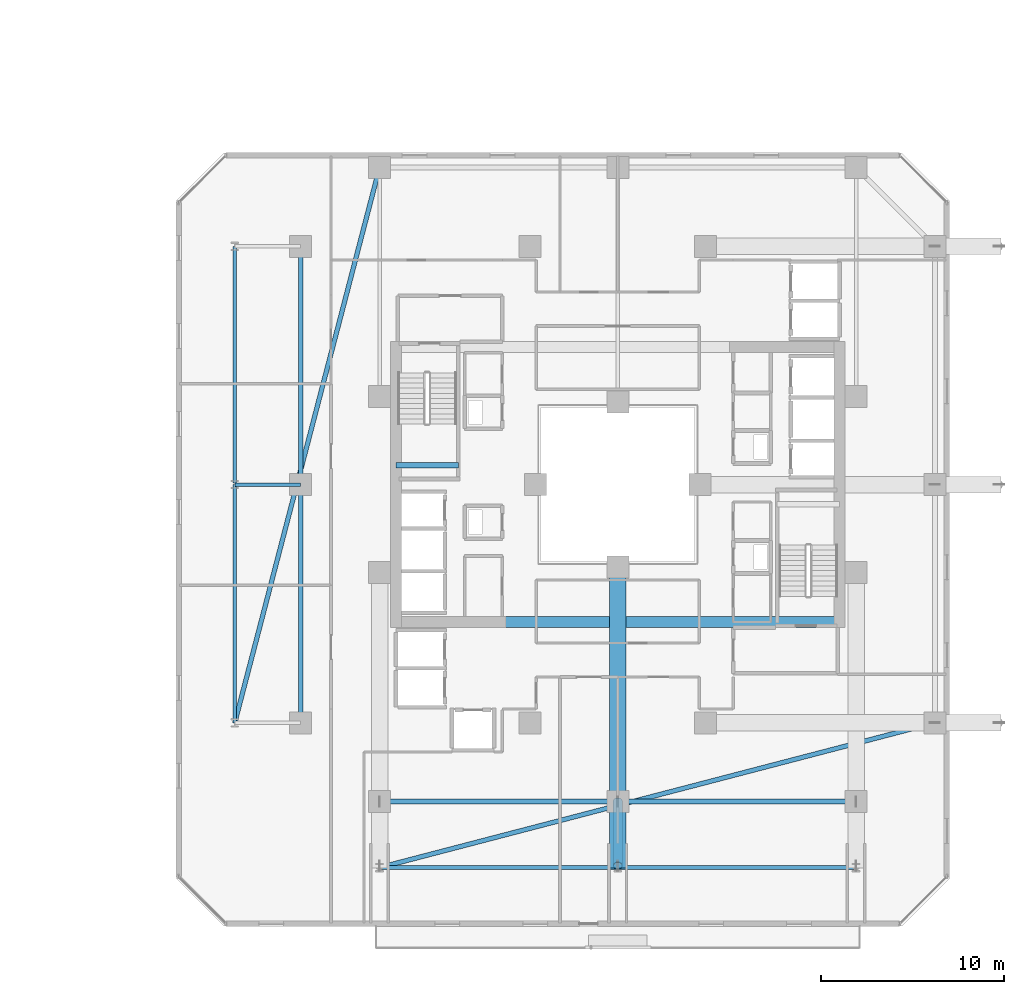
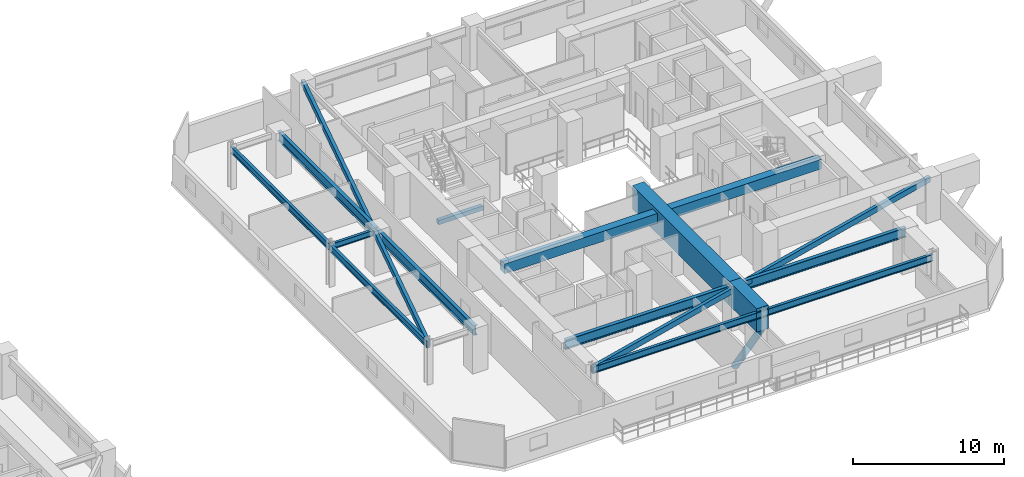
# One storey, part 12 of 36: 15 beams, 1 member.
"""IFC4 building model written with IfcOpenShell, lengths in metres."""

from ifc_helpers import new_model, si_unit, direction, frame, origin, origin_2d, place, context, subcontext, project, spatial, rectangle, hollow_rectangle, hollow_circle, i_section, extrude, material, material_profile, profile_set, type_object, element, save


model = new_model("IFC4")

# Units and contexts
model_context = context("Model", 3, precision=1e-05, world=origin(), true_north=direction((0.0, 1.0)))
body_context = subcontext(model_context, "Body", "Model", "MODEL_VIEW")
ifc_project = project(units=[si_unit("LENGTHUNIT", "METRE"), si_unit("AREAUNIT", "SQUARE_METRE"), si_unit("VOLUMEUNIT", "CUBIC_METRE"), si_unit("PLANEANGLEUNIT", "RADIAN"), si_unit("MASSUNIT", "GRAM", prefix="KILO")], contexts=[model_context])

# Site, building, storey
site_placement = place(None, origin())
site = spatial("IfcSite", under=ifc_project, at=site_placement, CompositionType="ELEMENT")
building_placement = place(site_placement, origin())
building = spatial("IfcBuilding", under=site, at=building_placement, Name="Thornwick Lancets Civic Towers", CompositionType="ELEMENT")
storey_placement = place(building_placement, frame((0.0, 0.0, 116.10009765625)))
storey = spatial("IfcBuildingStorey", under=building, at=storey_placement, Name="L30", CompositionType="ELEMENT", Elevation=116.10009765625)

# Beams
ifc_material_1 = material(Name="Concrete C60/75", Category="concrete")
ifc_material_profile_1 = material_profile(ifc_material_1, rectangle(XDim=0.60009765625, YDim=0.800048828125, at=origin_2d()), Name="RC 600x800")
ifc_profile_set_1 = profile_set([ifc_material_profile_1], Name="Concrete C60/75")
beam_type_1 = type_object("IfcBeamType", Name="BM_COUP_RC800", PredefinedType="BEAM", material=ifc_profile_set_1)
beam_1_placement = place(storey_placement, frame((76.39990234375, 19.5, 2.93994140625), z_axis=(1.0, 0.0, 0.0), x_axis=(0.0, 1.0, 0.0)))
element("IfcBeam", 1, at=beam_1_placement, inside=storey, type_object=beam_type_1, Name="CB-L30-B2", PredefinedType="BEAM", context=body_context, shape_type="SweptSolid", body=[
    extrude(rectangle(XDim=0.60009765625, YDim=0.800048828125, at=origin_2d()), origin(), (0.0, 0.0, 1.0), 24.2001953125),
])
ifc_material_2 = material(Name="Steel S355JR", Category="steel")
ifc_material_profile_2 = material_profile(ifc_material_2, i_section(OverallWidth=0.2119140625, OverallDepth=0.54443359375, WebThickness=0.0126953125, FlangeThickness=0.021240234375, FilletRadius=0.0126953125, at=origin_2d()), Name="UKB 533x210x122")
ifc_profile_set_2 = profile_set([ifc_material_profile_2], Name="Steel S355JR")
beam_type_2 = type_object("IfcBeamType", Name="BM_EDGE_533_122", PredefinedType="SPANDREL", material=ifc_profile_set_2)
beam_2_placement = place(storey_placement, frame((67.60009765625, 14.0, 3.067626953125), z_axis=(0.0, 1.0, 0.0), x_axis=(-1.0, 0.0, 0.0)))
element("IfcBeam", 2, at=beam_2_placement, inside=storey, type_object=beam_type_2, Name="BM-EDGE-L30-B-S2-1", PredefinedType="SPANDREL", context=body_context, shape_type="SweptSolid", body=[
    extrude(i_section(OverallWidth=0.2119140625, OverallDepth=0.54443359375, WebThickness=0.0126953125, FlangeThickness=0.021240234375, FilletRadius=0.0126953125, at=origin_2d()), origin(), (0.0, 0.0, 1.0), 13.0),
])
beam_3_placement = place(storey_placement, frame((67.60009765625, 27.080078125, 3.067626953125), z_axis=(0.0, 1.0, 0.0), x_axis=(-1.0, 0.0, 0.0)))
element("IfcBeam", 3, at=beam_3_placement, inside=storey, type_object=beam_type_2, Name="BM-EDGE-L30-B-S2-2", PredefinedType="SPANDREL", context=body_context, shape_type="SweptSolid", body=[
    extrude(i_section(OverallWidth=0.2119140625, OverallDepth=0.54443359375, WebThickness=0.0126953125, FlangeThickness=0.021240234375, FilletRadius=0.0126953125, at=origin_2d()), origin(), (0.0, 0.0, 1.0), 12.919921875),
])
beam_4_placement = place(storey_placement, frame((101.5, 6.10009765625, 3.067626953125), z_axis=(-1.0, 0.0, 0.0), x_axis=(0.0, -1.0, 0.0)))
element("IfcBeam", 4, at=beam_4_placement, inside=storey, type_object=beam_type_2, Name="BM-EDGE-L30-B-S3-1", PredefinedType="SPANDREL", context=body_context, shape_type="SweptSolid", body=[
    extrude(i_section(OverallWidth=0.2119140625, OverallDepth=0.54443359375, WebThickness=0.0126953125, FlangeThickness=0.021240234375, FilletRadius=0.0126953125, at=origin_2d()), origin(), (0.0, 0.0, 1.0), 13.0),
])
beam_5_placement = place(storey_placement, frame((88.419921875, 6.10009765625, 3.067626953125), z_axis=(-1.0, 0.0, 0.0), x_axis=(0.0, -1.0, 0.0)))
element("IfcBeam", 5, at=beam_5_placement, inside=storey, type_object=beam_type_2, Name="BM-EDGE-L30-B-S3-2", PredefinedType="SPANDREL", context=body_context, shape_type="SweptSolid", body=[
    extrude(i_section(OverallWidth=0.2119140625, OverallDepth=0.54443359375, WebThickness=0.0126953125, FlangeThickness=0.021240234375, FilletRadius=0.0126953125, at=origin_2d()), origin(), (0.0, 0.0, 1.0), 12.919921875),
])
ifc_material_profile_3 = material_profile(ifc_material_2, i_section(OverallWidth=0.26806640625, OverallDepth=0.769775390625, WebThickness=0.015625, FlangeThickness=0.025390625, FilletRadius=0.0166015625, at=origin_2d()), Name="UKB 762x267x197")
ifc_profile_set_3 = profile_set([ifc_material_profile_3], Name="Steel S355JR")
beam_type_3 = type_object("IfcBeamType", Name="BM_GIRD_762_197", PredefinedType="BEAM", material=ifc_profile_set_3)
beam_6_placement = place(storey_placement, frame((71.199951171875, 14.0, 2.955078125), z_axis=(0.0, 1.0, 0.0), x_axis=(-1.0, 0.0, 0.0)))
element("IfcBeam", 6, at=beam_6_placement, inside=storey, type_object=beam_type_3, Name="BM-SPINE-L30-B-6-7", PredefinedType="BEAM", context=body_context, shape_type="SweptSolid", body=[
    extrude(i_section(OverallWidth=0.26806640625, OverallDepth=0.769775390625, WebThickness=0.015625, FlangeThickness=0.025390625, FilletRadius=0.0166015625, at=origin_2d()), origin(), (0.0, 0.0, 1.0), 13.0),
])
beam_7_placement = place(storey_placement, frame((71.199951171875, 27.080078125, 2.955078125), z_axis=(0.0, 1.0, 0.0), x_axis=(-1.0, 0.0, 0.0)))
element("IfcBeam", 7, at=beam_7_placement, inside=storey, type_object=beam_type_3, Name="BM-SPINE-L30-B-7-8", PredefinedType="BEAM", context=body_context, shape_type="SweptSolid", body=[
    extrude(i_section(OverallWidth=0.26806640625, OverallDepth=0.769775390625, WebThickness=0.015625, FlangeThickness=0.025390625, FilletRadius=0.0166015625, at=origin_2d()), origin(), (0.0, 0.0, 1.0), 12.919921875),
])
beam_8_placement = place(storey_placement, frame((101.5, 9.699951171875, 2.955078125), z_axis=(-1.0, 0.0, 0.0), x_axis=(0.0, -1.0, 0.0)))
element("IfcBeam", 8, at=beam_8_placement, inside=storey, type_object=beam_type_3, Name="BM-SPINE-L30-B-9-10", PredefinedType="BEAM", context=body_context, shape_type="SweptSolid", body=[
    extrude(i_section(OverallWidth=0.26806640625, OverallDepth=0.769775390625, WebThickness=0.015625, FlangeThickness=0.025390625, FilletRadius=0.0166015625, at=origin_2d()), origin(), (0.0, 0.0, 1.0), 13.0),
])
beam_9_placement = place(storey_placement, frame((88.419921875, 9.699951171875, 2.955078125), z_axis=(-1.0, 0.0, 0.0), x_axis=(0.0, -1.0, 0.0)))
element("IfcBeam", 9, at=beam_9_placement, inside=storey, type_object=beam_type_3, Name="BM-SPINE-L30-B-10-11", PredefinedType="BEAM", context=body_context, shape_type="SweptSolid", body=[
    extrude(i_section(OverallWidth=0.26806640625, OverallDepth=0.769775390625, WebThickness=0.015625, FlangeThickness=0.025390625, FilletRadius=0.0166015625, at=origin_2d()), origin(), (0.0, 0.0, 1.0), 12.919921875),
])
ifc_material_profile_4 = material_profile(ifc_material_2, i_section(OverallWidth=0.19189453125, OverallDepth=0.46337890625, WebThickness=0.010498046875, FlangeThickness=0.017578125, FilletRadius=0.01025390625, at=origin_2d()), Name="UKB 457x191x89")
ifc_profile_set_4 = profile_set([ifc_material_profile_4], Name="Steel S355JR")
beam_type_4 = type_object("IfcBeamType", Name="BM_JOIST_457_89", PredefinedType="JOIST", material=ifc_profile_set_4)
beam_10_placement = place(storey_placement, frame((71.199951171875, 27.0, 3.108154296875), z_axis=(-1.0, 0.0, 0.0), x_axis=(0.0, -1.0, 0.0)))
element("IfcBeam", 10, at=beam_10_placement, inside=storey, type_object=beam_type_4, Name="BM-RAD-L30-B08", PredefinedType="JOIST", context=body_context, shape_type="SweptSolid", body=[
    extrude(i_section(OverallWidth=0.19189453125, OverallDepth=0.46337890625, WebThickness=0.010498046875, FlangeThickness=0.017578125, FilletRadius=0.01025390625, at=origin_2d()), origin(), (0.0, 0.0, 1.0), 3.599853515625),
])
ifc_material_profile_5 = material_profile(ifc_material_2, hollow_rectangle(XDim=0.25, YDim=0.449951171875, WallThickness=0.01611328125, at=origin_2d()), Name="RHS 450x250x16")
ifc_profile_set_5 = profile_set([ifc_material_profile_5], Name="Steel S355JR")
beam_type_5 = type_object("IfcBeamType", Name="BM_RING_RHS450", PredefinedType="BEAM", material=ifc_profile_set_5)
for number, where, z_axis, x_axis, name in (
    (11, (75.5, 44.300048828125, 3.114990234375), (-0.252288590311, -0.967652038286, 0.0), (0.967652038286, -0.252288590311, 0.0), "BM-CHAMF-L30-B-C1"),
    (12, (75.5, 6.10009765625, 3.114990234375), (0.967652038286, 0.252288590311, 0.0), (-0.252288590311, 0.967652038286, 0.0), "BM-CHAMF-L30-B-C3"),
):
    element("IfcBeam", number, at=place(storey_placement, frame(where, z_axis=z_axis, x_axis=x_axis)), inside=storey, type_object=beam_type_5, Name=name, PredefinedType="BEAM", context=body_context, shape_type="SweptSolid", body=[
        extrude(hollow_rectangle(XDim=0.25, YDim=0.449951171875, WallThickness=0.01611328125, at=origin_2d()), origin(), (0.0, 0.0, 1.0), 31.31298828125),
    ])
ifc_material_3 = material(Name="Concrete C40/50", Category="concrete")
ifc_material_profile_6 = material_profile(ifc_material_3, rectangle(XDim=0.300048828125, YDim=0.35009765625, at=origin_2d()), Name="RC 300x350")
ifc_profile_set_6 = profile_set([ifc_material_profile_6], Name="Concrete C40/50")
beam_type_6 = type_object("IfcBeamType", Name="BM_STAIR_LDG", PredefinedType="BEAM", material=ifc_profile_set_6)
beam_11_placement = place(storey_placement, frame((76.39990234375, 28.06494140625, 1.3779296875), z_axis=(1.0, 0.0, 0.0), x_axis=(0.0, 1.0, 0.0)))
element("IfcBeam", 13, at=beam_11_placement, inside=storey, type_object=beam_type_6, Name="L30 ST-B2 Landing Support Beam 1", PredefinedType="BEAM", context=body_context, shape_type="SweptSolid", body=[
    extrude(rectangle(XDim=0.300048828125, YDim=0.35009765625, at=origin_2d()), origin(), (0.0, 0.0, 1.0), 3.400146484375),
])
ifc_material_profile_7 = material_profile(ifc_material_1, rectangle(XDim=0.89990234375, YDim=1.89990234375, at=origin_2d()), Name="RC 900x1900")
ifc_profile_set_7 = profile_set([ifc_material_profile_7], Name="Concrete C60/75")
beam_type_7 = type_object("IfcBeamType", Name="BM_TR_RC1900", PredefinedType="BEAM", material=ifc_profile_set_7)
beam_12_placement = place(storey_placement, frame((88.5, 22.5, 2.64990234375), z_axis=(0.0, -1.0, 0.0), x_axis=(1.0, 0.0, 0.0)))
element("IfcBeam", 14, at=beam_12_placement, inside=storey, type_object=beam_type_7, Name="TG-BACK-L31-B11", PredefinedType="BEAM", context=body_context, shape_type="SweptSolid", body=[
    extrude(rectangle(XDim=0.89990234375, YDim=1.89990234375, at=origin_2d()), origin(), (0.0, 0.0, 1.0), 12.800048828125),
])
beam_13_placement = place(storey_placement, frame((88.5, 9.699951171875, 2.64990234375), z_axis=(0.0, -1.0, 0.0), x_axis=(1.0, 0.0, 0.0)))
element("IfcBeam", 15, at=beam_13_placement, inside=storey, type_object=beam_type_7, Name="TG-CANT-L31-B11", PredefinedType="BEAM", context=body_context, shape_type="SweptSolid", body=[
    extrude(rectangle(XDim=0.89990234375, YDim=1.89990234375, at=origin_2d()), origin(), (0.0, 0.0, 1.0), 3.619873046875),
])

# Member
ifc_material_4 = material(Name="Steel S460M", Category="steel")
ifc_material_profile_8 = material_profile(ifc_material_4, hollow_circle(Radius=0.25390625, WallThickness=0.02490234375, at=origin_2d()), Name="CHS 508x25")
ifc_profile_set_8 = profile_set([ifc_material_profile_8], Name="Steel S460M")
member_type = type_object("IfcMemberType", Name="MEM_STRUT_CHS508", PredefinedType="STRUT", material=ifc_profile_set_8)
member_placement = place(storey_placement, frame((88.5, 9.699951171875, -3.35009765625), z_axis=(0.0, -0.563595410885, 0.826050974716), x_axis=(1.0, 0.0, 0.0)))
element("IfcMember", 16, at=member_placement, inside=storey, type_object=member_type, Name="L31 Jenga Transfer Raking Strut B11", PredefinedType="STRUT", context=body_context, shape_type="SweptSolid", body=[
    extrude(hollow_circle(Radius=0.25390625, WallThickness=0.02490234375, at=origin_2d()), origin(), (0.0, 0.0, 1.0), 6.210205078125),
])

save(model, "model.ifc")
